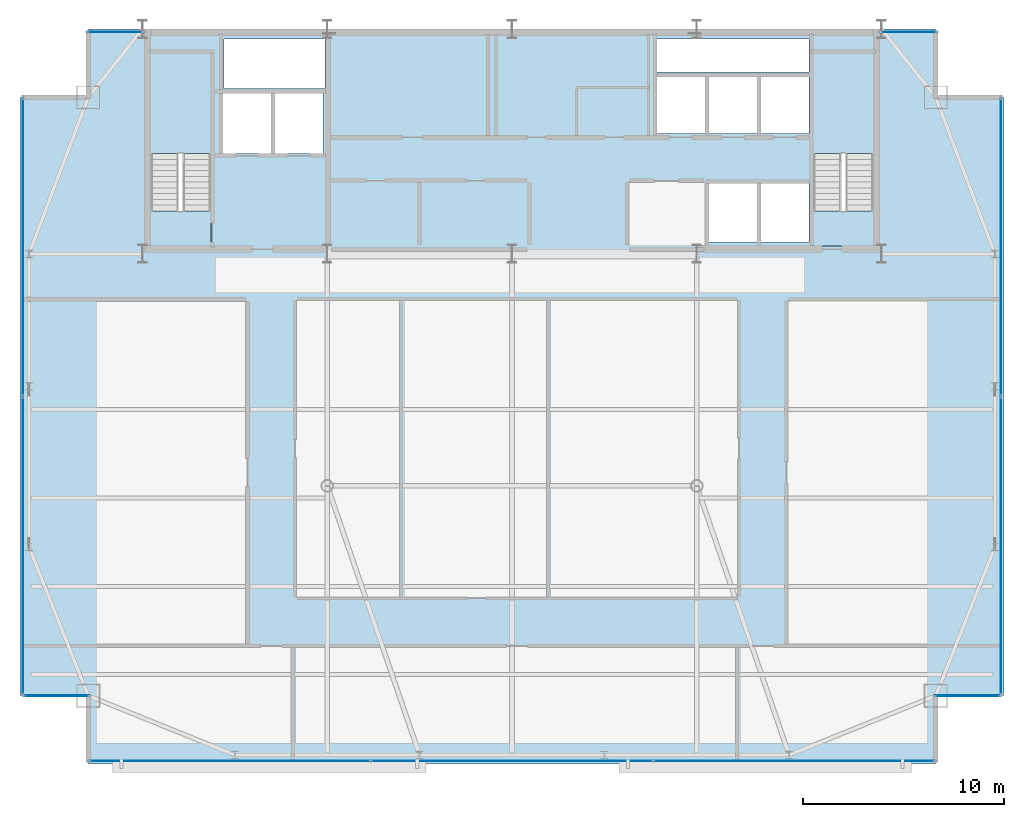
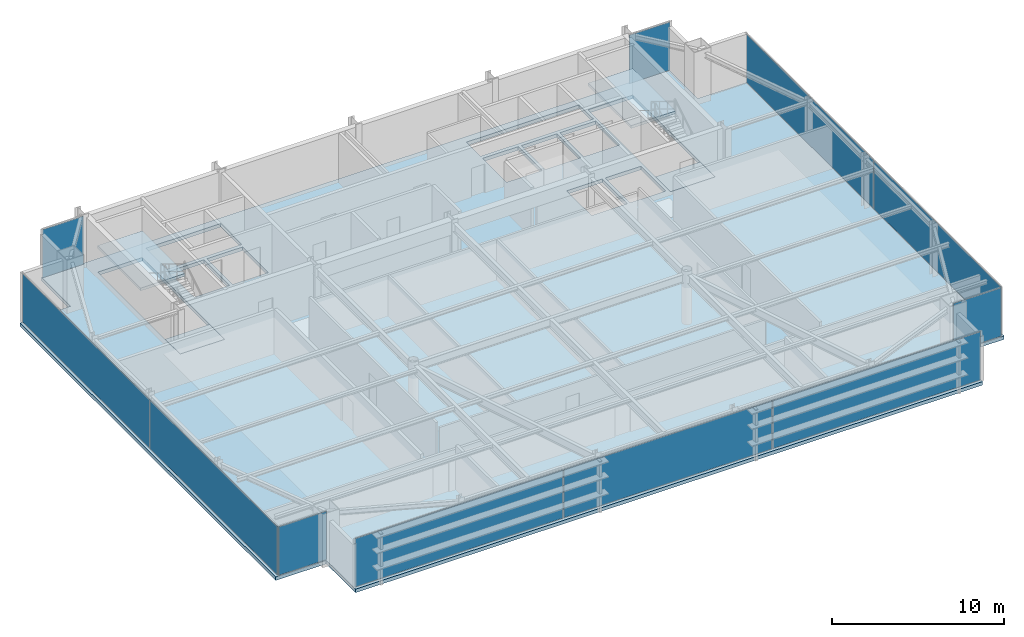
# One storey, part 19 of 25: 11 plates, 5 slabs, 9 elements without a shape of their own.
"""IFC4 building model written with IfcOpenShell, lengths in metres."""

from ifc_helpers import new_model, si_unit, direction, frame, origin, origin_2d, place, context, subcontext, project, spatial, polyline, rectangle, outline, extrude, source, transform, mapped, material, layer, layer_set, type_object, type_shapes, element, aggregate, save


model = new_model("IFC4")

# Units and contexts
model_context = context("Model", 3, precision=1e-05, world=origin(), true_north=direction((0.0, 1.0)))
body_context = subcontext(model_context, "Body", "Model", "MODEL_VIEW")
ifc_project = project(units=[si_unit("LENGTHUNIT", "METRE"), si_unit("AREAUNIT", "SQUARE_METRE"), si_unit("VOLUMEUNIT", "CUBIC_METRE"), si_unit("PLANEANGLEUNIT", "RADIAN"), si_unit("MASSUNIT", "GRAM", prefix="KILO")], contexts=[model_context])

# Site, building, storey
site_placement = place(None, origin())
site = spatial("IfcSite", under=ifc_project, at=site_placement, CompositionType="ELEMENT")
building_placement = place(site_placement, origin())
building = spatial("IfcBuilding", under=site, at=building_placement, Name="Varnel Quay Broadcast Tower", CompositionType="ELEMENT")
storey_placement = place(building_placement, frame((0.0, 0.0, 226.39990234375)))
storey = spatial("IfcBuildingStorey", under=building, at=storey_placement, Name="L56", CompositionType="ELEMENT", Elevation=226.39990234375)

# Slabs
ifc_material_1 = material(Name="Concrete CSA A23.3 C50/60", Category="concrete")
ifc_layer_1 = layer(ifc_material_1, 0.25, Name="Concrete CSA A23.3 C50/60")
ifc_layer_set_1 = layer_set([ifc_layer_1], Name="Concrete CSA A23.3 C50/60")
slab_type_1 = type_object("IfcSlabType", Name="Slab_Floor250", PredefinedType="FLOOR", material=ifc_layer_set_1)
slab_1_placement = place(storey_placement, frame((0.0, 0.0, -0.25)))
element("IfcSlab", 1, at=slab_1_placement, inside=storey, type_object=slab_type_1, Name="L56 Structural Slab", PredefinedType="FLOOR", context=body_context, shape_type="SweptSolid", body=[
    extrude(outline(polyline([(12.89990234375, 10.199951171875), (55.10009765625, 10.199951171875), (55.10009765625, 13.60009765625), (58.5, 13.60009765625), (58.5, 43.39990234375), (55.10009765625, 43.39990234375), (55.10009765625, 46.800048828125), (12.89990234375, 46.800048828125), (12.89990234375, 43.39990234375), (9.5, 43.39990234375), (9.5, 13.60009765625), (12.89990234375, 13.60009765625), (12.89990234375, 10.199951171875)]), holes=[polyline([(19.0, 36.0), (16.0, 36.0), (16.0, 45.60009765625), (19.0, 45.60009765625), (19.0, 36.0)]), polyline([(19.60009765625, 40.60009765625), (19.60009765625, 43.60009765625), (22.0, 43.60009765625), (22.0, 40.60009765625), (19.60009765625, 40.60009765625)]), polyline([(22.199951171875, 40.60009765625), (22.199951171875, 43.60009765625), (24.60009765625, 43.60009765625), (24.60009765625, 40.60009765625), (22.199951171875, 40.60009765625)]), polyline([(41.199951171875, 44.39990234375), (43.60009765625, 44.39990234375), (43.60009765625, 41.60009765625), (41.199951171875, 41.60009765625), (41.199951171875, 44.39990234375)]), polyline([(43.800048828125, 44.39990234375), (46.199951171875, 44.39990234375), (46.199951171875, 41.60009765625), (43.800048828125, 41.60009765625), (43.800048828125, 44.39990234375)]), polyline([(19.64990234375, 43.85009765625), (19.64990234375, 46.300048828125), (24.679931640625, 46.300048828125), (24.679931640625, 43.85009765625), (19.64990234375, 43.85009765625)]), polyline([(43.800048828125, 39.10009765625), (46.199951171875, 39.10009765625), (46.199951171875, 36.199951171875), (43.800048828125, 36.199951171875), (43.800048828125, 39.10009765625)]), polyline([(46.39990234375, 39.10009765625), (48.800048828125, 39.10009765625), (48.800048828125, 36.199951171875), (46.39990234375, 36.199951171875), (46.39990234375, 39.10009765625)]), polyline([(52.0, 36.0), (49.0, 36.0), (49.0, 45.60009765625), (52.0, 45.60009765625), (52.0, 36.0)]), polyline([(46.39990234375, 44.39990234375), (48.800048828125, 44.39990234375), (48.800048828125, 41.60009765625), (46.39990234375, 41.60009765625), (46.39990234375, 44.39990234375)]), polyline([(41.199951171875, 46.300048828125), (48.800048828125, 46.300048828125), (48.800048828125, 44.64990234375), (41.199951171875, 44.64990234375), (41.199951171875, 46.300048828125)])]), origin(), (0.0, 0.0, 1.0), 0.25),
])
ifc_layer_2 = layer(ifc_material_1, 0.25, Name="Concrete CSA A23.3 C50/60")
ifc_layer_set_2 = layer_set([ifc_layer_2], Name="Concrete CSA A23.3 C50/60")
slab_type_2 = type_object("IfcSlabType", Name="Slab_StairFloorLanding250", PredefinedType="FLOOR", material=ifc_layer_set_2)
slab_2_placement = place(storey_placement, frame((0.0, 0.0, -0.25)))
element("IfcSlab", 2, at=slab_2_placement, inside=storey, type_object=slab_type_2, Name="L56 ST-01 Structural Floor Landing Slab", PredefinedType="FLOOR", context=body_context, shape_type="SweptSolid", body=[
    extrude(outline(polyline([(19.0, 36.0), (19.0, 37.75), (16.0, 37.75), (16.0, 36.0), (19.0, 36.0)])), origin(), (0.0, 0.0, 1.0), 0.25),
])
slab_3_placement = place(storey_placement, frame((0.0, 0.0, -0.25)))
element("IfcSlab", 3, at=slab_3_placement, inside=storey, type_object=slab_type_2, Name="L56 ST-02 Structural Floor Landing Slab", PredefinedType="FLOOR", context=body_context, shape_type="SweptSolid", body=[
    extrude(outline(polyline([(52.0, 36.0), (52.0, 37.75), (49.0, 37.75), (49.0, 36.0), (52.0, 36.0)])), origin(), (0.0, 0.0, 1.0), 0.25),
])

# Stair, slab
ifc_material_2 = material(Name="Precast Structural Concrete C40/50", Category="concrete")
stair_type_1 = type_object("IfcStairType", Name="Stair_ST-01", PredefinedType="HALF_TURN_STAIR", material=ifc_material_2)
stair_1_placement = place(storey_placement, origin())
stair_1 = element("IfcStair", 4, at=stair_1_placement, inside=storey, type_object=stair_type_1, Name="L56 West Core Exit Stair 1", PredefinedType="HALF_TURN_STAIR")
ifc_layer_3 = layer(ifc_material_2, 0.199951171875, Name="Precast Structural Concrete C40/50")
ifc_layer_set_3 = layer_set([ifc_layer_3], Name="Precast Structural Concrete C40/50")
slab_type_3 = type_object("IfcSlabType", Name="Slab_StairLanding200", PredefinedType="LANDING", material=ifc_layer_set_3)
slab_4_placement = place(storey_placement, frame((0.0, 0.0, 1.7001953125)))
slab_4 = element("IfcSlab", 5, at=slab_4_placement, type_object=slab_type_3, Name="ST-01 landing 1", PredefinedType="LANDING", context=body_context, shape_type="SweptSolid", body=[
    extrude(outline(polyline([(19.0, 40.60009765625), (19.0, 45.60009765625), (16.0, 45.60009765625), (16.0, 40.60009765625), (19.0, 40.60009765625)])), origin(), (0.0, 0.0, 1.0), 0.199951171875),
])
aggregate(stair_1, [slab_4])

stair_type_2 = type_object("IfcStairType", Name="Stair_ST-02", PredefinedType="HALF_TURN_STAIR", material=ifc_material_2)
stair_2_placement = place(storey_placement, origin())
stair_2 = element("IfcStair", 6, at=stair_2_placement, inside=storey, type_object=stair_type_2, Name="L56 East Core Exit Stair 2", PredefinedType="HALF_TURN_STAIR")
slab_5_placement = place(storey_placement, frame((0.0, 0.0, 1.7001953125)))
slab_5 = element("IfcSlab", 7, at=slab_5_placement, type_object=slab_type_3, Name="ST-02 landing 1", PredefinedType="LANDING", context=body_context, shape_type="SweptSolid", body=[
    extrude(outline(polyline([(52.0, 40.60009765625), (52.0, 45.60009765625), (49.0, 45.60009765625), (49.0, 40.60009765625), (52.0, 40.60009765625)])), origin(), (0.0, 0.0, 1.0), 0.199951171875),
])
aggregate(stair_2, [slab_5])

# Curtain wall, plates
ifc_material_3 = material(Name="Anodised Bronze Aluminium 6063-T6", Category="aluminium")
ifc_layer_4 = layer(ifc_material_3, 0.18994140625, Name="Anodised Bronze Aluminium 6063-T6")
ifc_layer_set_4 = layer_set([ifc_layer_4], Name="Anodised Bronze Aluminium 6063-T6")
curtain_wall_type_1 = type_object("IfcCurtainWallType", Name="CW_UpperTower", PredefinedType="NOTDEFINED", material=ifc_layer_set_4)
curtain_wall_1_placement = place(storey_placement, origin())
curtain_wall_1 = element("IfcCurtainWall", 8, at=curtain_wall_1_placement, inside=storey, type_object=curtain_wall_type_1, Name="L56 West Unitised Curtain Wall", PredefinedType="NOTDEFINED")
ifc_material_4 = material(Name="Insulated Bronze Spandrel Glass", Category="glass")
ifc_layer_5 = layer(ifc_material_4, 0.030029296875, Name="Insulated Bronze Spandrel Glass")
ifc_layer_set_5 = layer_set([ifc_layer_5], Name="Insulated Bronze Spandrel Glass")
plate_type_1 = type_object("IfcPlateType", Name="PanelSp_CWS-03", PredefinedType="CURTAIN_PANEL", material=ifc_layer_set_5)
shared_shape_1 = source(origin(), body_context, "Body", "SweptSolid", [
    extrude(rectangle(XDim=14.802490234375, YDim=0.030029296875, at=origin_2d()), origin(), (0.0, 0.0, 1.0), 3.429931640625),
])
type_shapes(plate_type_1, [shared_shape_1])
plate_1_placement = place(storey_placement, frame((9.64990234375, 21.066162109375, 0.06005859375), z_axis=(0.0, 0.0, 1.0), x_axis=(0.0, 1.0, 0.0)))
plate_1 = element("IfcPlate", 9, at=plate_1_placement, type_object=plate_type_1, Name="CWS-03 panel 1.1", PredefinedType="CURTAIN_PANEL", context=body_context, shape_type="MappedRepresentation", body=[
    mapped(shared_shape_1, transform((0.0, 0.0, 0.0), x_axis=(1.0, 0.0, 0.0), y_axis=(0.0, 1.0, 0.0), z_axis=(0.0, 0.0, 1.0), scale=1.0)),
])
plate_2_placement = place(storey_placement, frame((9.64990234375, 35.933837890625, 0.06005859375), z_axis=(0.0, 0.0, 1.0), x_axis=(0.0, 1.0, 0.0)))
plate_2 = element("IfcPlate", 10, at=plate_2_placement, type_object=plate_type_1, Name="CWS-03 panel 2.1", PredefinedType="CURTAIN_PANEL", context=body_context, shape_type="MappedRepresentation", body=[
    mapped(shared_shape_1, transform((0.0, 0.0, 0.0), x_axis=(1.0, 0.0, 0.0), y_axis=(0.0, 1.0, 0.0), z_axis=(0.0, 0.0, 1.0), scale=1.0)),
])
aggregate(curtain_wall_1, [plate_1, plate_2])

curtain_wall_2_placement = place(storey_placement, origin())
curtain_wall_2 = element("IfcCurtainWall", 11, at=curtain_wall_2_placement, inside=storey, type_object=curtain_wall_type_1, Name="L56 East Unitised Curtain Wall", PredefinedType="NOTDEFINED")
plate_3_placement = place(storey_placement, frame((58.35009765625, 21.066162109375, 0.06005859375), z_axis=(0.0, 0.0, 1.0), x_axis=(0.0, 1.0, 0.0)))
plate_3 = element("IfcPlate", 12, at=plate_3_placement, type_object=plate_type_1, Name="CWS-03 panel 1.1", PredefinedType="CURTAIN_PANEL", context=body_context, shape_type="MappedRepresentation", body=[
    mapped(shared_shape_1, transform((0.0, 0.0, 0.0), x_axis=(1.0, 0.0, 0.0), y_axis=(0.0, 1.0, 0.0), z_axis=(0.0, 0.0, 1.0), scale=1.0)),
])
plate_4_placement = place(storey_placement, frame((58.35009765625, 35.933837890625, 0.06005859375), z_axis=(0.0, 0.0, 1.0), x_axis=(0.0, 1.0, 0.0)))
plate_4 = element("IfcPlate", 13, at=plate_4_placement, type_object=plate_type_1, Name="CWS-03 panel 2.1", PredefinedType="CURTAIN_PANEL", context=body_context, shape_type="MappedRepresentation", body=[
    mapped(shared_shape_1, transform((0.0, 0.0, 0.0), x_axis=(1.0, 0.0, 0.0), y_axis=(0.0, 1.0, 0.0), z_axis=(0.0, 0.0, 1.0), scale=1.0)),
])
aggregate(curtain_wall_2, [plate_3, plate_4])

# Curtain wall, plate
ifc_layer_6 = layer(ifc_material_3, 0.18994140625, Name="Anodised Bronze Aluminium 6063-T6")
ifc_layer_set_6 = layer_set([ifc_layer_6], Name="Anodised Bronze Aluminium 6063-T6")
curtain_wall_type_2 = type_object("IfcCurtainWallType", Name="CW_NotchCorner", PredefinedType="NOTDEFINED", material=ifc_layer_set_6)
curtain_wall_3_placement = place(storey_placement, origin())
curtain_wall_3 = element("IfcCurtainWall", 14, at=curtain_wall_3_placement, inside=storey, type_object=curtain_wall_type_2, Name="L56 SW Notch Curtain Wall", PredefinedType="NOTDEFINED")
ifc_material_5 = material(Name="Triple-Glazed Bronze Low-E Architectural Glass", Category="glass")
ifc_layer_7 = layer(ifc_material_5, 0.028076171875, Name="Triple-Glazed Bronze Low-E Architectural Glass")
ifc_layer_set_7 = layer_set([ifc_layer_7], Name="Triple-Glazed Bronze Low-E Architectural Glass")
plate_type_2 = type_object("IfcPlateType", Name="Panel_CWS-04", PredefinedType="CURTAIN_PANEL", material=ifc_layer_set_7)
shared_shape_2 = source(origin(), body_context, "Body", "SweptSolid", [
    extrude(rectangle(XDim=3.2099609375, YDim=0.028076171875, at=origin_2d()), origin(), (0.0, 0.0, 1.0), 3.43994140625),
])
type_shapes(plate_type_2, [shared_shape_2])
plate_5_placement = place(storey_placement, frame((11.31494140625, 13.60009765625, 0.05517578125), z_axis=(0.0, 0.0, 1.0), x_axis=(1.0, 0.0, 0.0)))
plate_5 = element("IfcPlate", 15, at=plate_5_placement, type_object=plate_type_2, Name="CWS-04 panel 1.1", PredefinedType="CURTAIN_PANEL", context=body_context, shape_type="MappedRepresentation", body=[
    mapped(shared_shape_2, transform((0.0, 0.0, 0.0), x_axis=(1.0, 0.0, 0.0), y_axis=(0.0, 1.0, 0.0), z_axis=(0.0, 0.0, 1.0), scale=1.0)),
])
aggregate(curtain_wall_3, [plate_5])

curtain_wall_4_placement = place(storey_placement, origin())
curtain_wall_4 = element("IfcCurtainWall", 16, at=curtain_wall_4_placement, inside=storey, type_object=curtain_wall_type_2, Name="L56 SE Notch Curtain Wall", PredefinedType="NOTDEFINED")
plate_6_placement = place(storey_placement, frame((56.68505859375, 13.60009765625, 0.05517578125), z_axis=(0.0, 0.0, 1.0), x_axis=(1.0, 0.0, 0.0)))
plate_6 = element("IfcPlate", 17, at=plate_6_placement, type_object=plate_type_2, Name="CWS-04 panel 1.1", PredefinedType="CURTAIN_PANEL", context=body_context, shape_type="MappedRepresentation", body=[
    mapped(shared_shape_2, transform((0.0, 0.0, 0.0), x_axis=(1.0, 0.0, 0.0), y_axis=(0.0, 1.0, 0.0), z_axis=(0.0, 0.0, 1.0), scale=1.0)),
])
aggregate(curtain_wall_4, [plate_6])

curtain_wall_5_placement = place(storey_placement, origin())
curtain_wall_5 = element("IfcCurtainWall", 18, at=curtain_wall_5_placement, inside=storey, type_object=curtain_wall_type_1, Name="L56 NW Wing Curtain Wall", PredefinedType="NOTDEFINED")
ifc_layer_8 = layer(ifc_material_5, 0.030029296875, Name="Triple-Glazed Bronze Low-E Architectural Glass")
ifc_layer_set_8 = layer_set([ifc_layer_8], Name="Triple-Glazed Bronze Low-E Architectural Glass")
plate_type_3 = type_object("IfcPlateType", Name="Panel_CWS-03", PredefinedType="CURTAIN_PANEL", material=ifc_layer_set_8)
shared_shape_3 = source(origin(), body_context, "Body", "SweptSolid", [
    extrude(rectangle(XDim=2.75, YDim=0.030029296875, at=origin_2d()), origin(), (0.0, 0.0, 1.0), 3.429931640625),
])
plate_7_placement = place(storey_placement, frame((14.260009765625, 46.64990234375, 0.06005859375), z_axis=(0.0, 0.0, 1.0), x_axis=(1.0, 0.0, 0.0)))
plate_7 = element("IfcPlate", 19, at=plate_7_placement, type_object=plate_type_3, Name="CWS-03 panel 1.1", PredefinedType="CURTAIN_PANEL", context=body_context, shape_type="MappedRepresentation", body=[
    mapped(shared_shape_3, transform((0.0, 0.0, 0.0), x_axis=(1.0, 0.0, 0.0), y_axis=(0.0, 1.0, 0.0), z_axis=(0.0, 0.0, 1.0), scale=1.0)),
])
aggregate(curtain_wall_5, [plate_7])

curtain_wall_6_placement = place(storey_placement, origin())
curtain_wall_6 = element("IfcCurtainWall", 20, at=curtain_wall_6_placement, inside=storey, type_object=curtain_wall_type_1, Name="L56 NE Wing Curtain Wall", PredefinedType="NOTDEFINED")
plate_8_placement = place(storey_placement, frame((53.739990234375, 46.64990234375, 0.06005859375), z_axis=(0.0, 0.0, 1.0), x_axis=(1.0, 0.0, 0.0)))
plate_8 = element("IfcPlate", 21, at=plate_8_placement, type_object=plate_type_3, Name="CWS-03 panel 1.1", PredefinedType="CURTAIN_PANEL", context=body_context, shape_type="MappedRepresentation", body=[
    mapped(shared_shape_3, transform((0.0, 0.0, 0.0), x_axis=(1.0, 0.0, 0.0), y_axis=(0.0, 1.0, 0.0), z_axis=(0.0, 0.0, 1.0), scale=1.0)),
])
aggregate(curtain_wall_6, [plate_8])

# Curtain wall, plates
curtain_wall_7_placement = place(storey_placement, origin())
curtain_wall_7 = element("IfcCurtainWall", 22, at=curtain_wall_7_placement, inside=storey, type_object=curtain_wall_type_1, Name="L56 South Unitised Curtain Wall 1", PredefinedType="NOTDEFINED")
shared_shape_4 = source(origin(), body_context, "Body", "SweptSolid", [
    extrude(rectangle(XDim=13.96923828125, YDim=0.030029296875, at=origin_2d()), origin(), (0.0, 0.0, 1.0), 3.429931640625),
])
plate_9_placement = place(storey_placement, frame((19.949462890625, 10.35009765625, 0.06005859375), z_axis=(0.0, 0.0, 1.0), x_axis=(1.0, 0.0, 0.0)))
plate_9 = element("IfcPlate", 23, at=plate_9_placement, type_object=plate_type_3, Name="CWS-03 panel 1.1", PredefinedType="CURTAIN_PANEL", context=body_context, shape_type="MappedRepresentation", body=[
    mapped(shared_shape_4, transform((0.0, 0.0, 0.0), x_axis=(1.0, 0.0, 0.0), y_axis=(0.0, 1.0, 0.0), z_axis=(0.0, 0.0, 1.0), scale=1.0)),
])
plate_10_placement = place(storey_placement, frame((48.050537109375, 10.35009765625, 0.06005859375), z_axis=(0.0, 0.0, 1.0), x_axis=(1.0, 0.0, 0.0)))
plate_10 = element("IfcPlate", 24, at=plate_10_placement, type_object=plate_type_3, Name="CWS-03 panel 3.1", PredefinedType="CURTAIN_PANEL", context=body_context, shape_type="MappedRepresentation", body=[
    mapped(shared_shape_4, transform((0.0, 0.0, 0.0), x_axis=(1.0, 0.0, 0.0), y_axis=(0.0, 1.0, 0.0), z_axis=(0.0, 0.0, 1.0), scale=1.0)),
])
shared_shape_5 = source(origin(), body_context, "Body", "SweptSolid", [
    extrude(rectangle(XDim=14.001708984375, YDim=0.030029296875, at=origin_2d()), origin(), (0.0, 0.0, 1.0), 3.429931640625),
])
type_shapes(plate_type_3, [shared_shape_3, shared_shape_4, shared_shape_5])
plate_11_placement = place(storey_placement, frame((34.0, 10.35009765625, 0.06005859375), z_axis=(0.0, 0.0, 1.0), x_axis=(1.0, 0.0, 0.0)))
plate_11 = element("IfcPlate", 25, at=plate_11_placement, type_object=plate_type_3, Name="CWS-03 panel 2.1", PredefinedType="CURTAIN_PANEL", context=body_context, shape_type="MappedRepresentation", body=[
    mapped(shared_shape_5, transform((0.0, 0.0, 0.0), x_axis=(1.0, 0.0, 0.0), y_axis=(0.0, 1.0, 0.0), z_axis=(0.0, 0.0, 1.0), scale=1.0)),
])
aggregate(curtain_wall_7, [plate_9, plate_11, plate_10])

save(model, "model.ifc")
